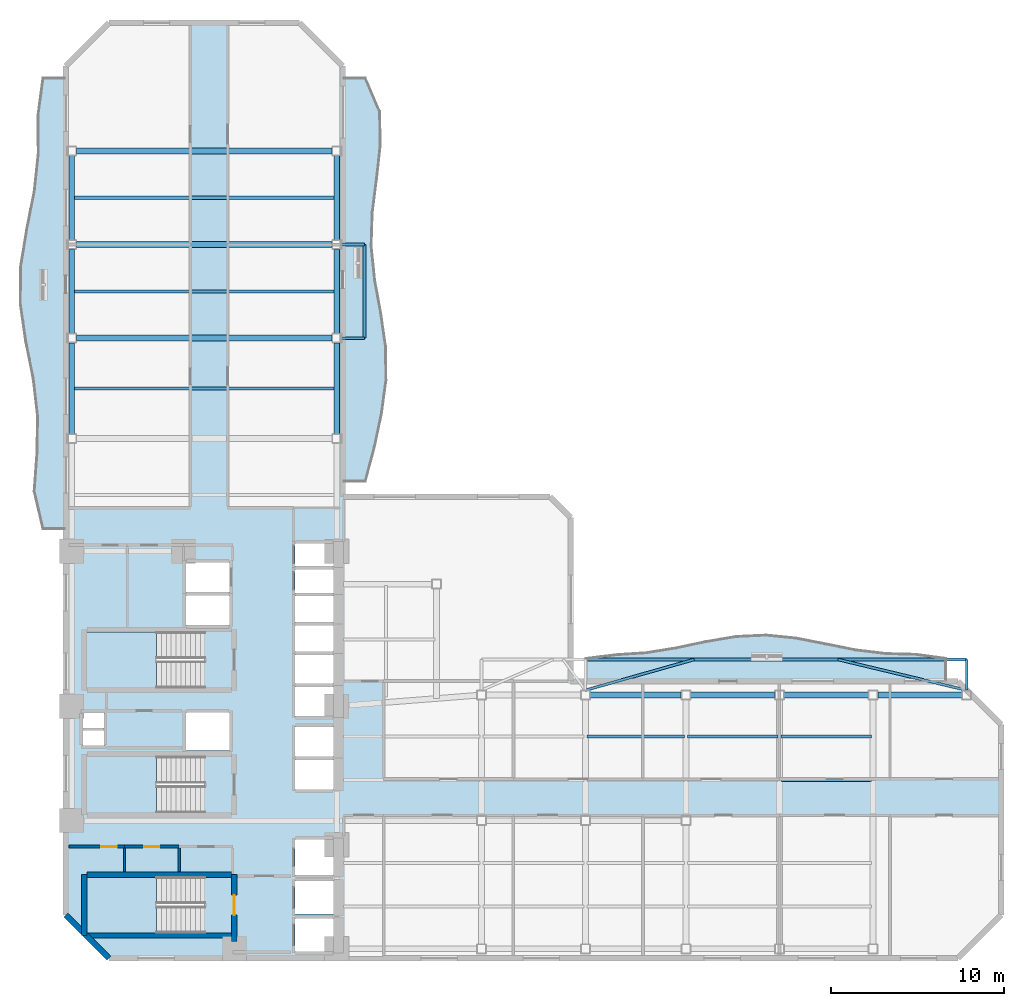
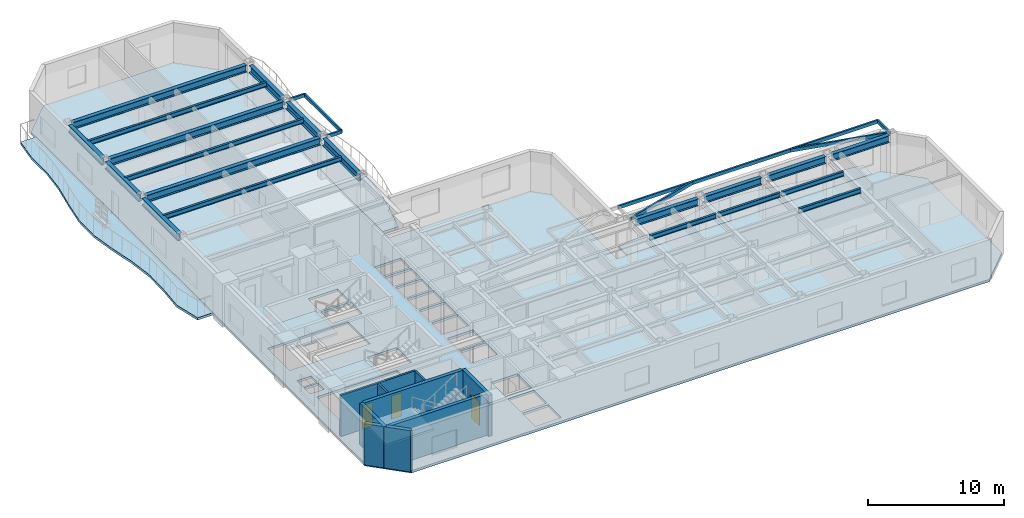
# One storey, part 2 of 10: 27 beams, 9 walls, 7 slabs, 3 doors, 3 openings, 3 elements without a shape of their own.
"""IFC4 building model written with IfcOpenShell, lengths in metres."""

from ifc_helpers import new_model, si_unit, direction, frame, frame_2d, origin, origin_2d, place, context, subcontext, project, spatial, polyline, rectangle, hollow_rectangle, i_section, outline, extrude, material, layer, layer_set, material_profile, profile_set, type_object, element, fill, aggregate, save


model = new_model("IFC4")

# Units and contexts
model_context = context("Model", 3, precision=1e-05, world=origin(), true_north=direction((0.0, 1.0)))
body_context = subcontext(model_context, "Body", "Model", "MODEL_VIEW")
ifc_project = project(units=[si_unit("LENGTHUNIT", "METRE"), si_unit("AREAUNIT", "SQUARE_METRE"), si_unit("VOLUMEUNIT", "CUBIC_METRE"), si_unit("PLANEANGLEUNIT", "RADIAN"), si_unit("MASSUNIT", "GRAM", prefix="KILO")], contexts=[model_context])

# Site, building, storey
site_placement = place(None, origin())
site = spatial("IfcSite", under=ifc_project, at=site_placement, CompositionType="ELEMENT")
building_placement = place(site_placement, origin())
building = spatial("IfcBuilding", under=site, at=building_placement, Name="Mawjaban Terraces University", CompositionType="ELEMENT")
storey_placement = place(building_placement, frame((0.0, 0.0, 66.10009765625)))
storey = spatial("IfcBuildingStorey", under=building, at=storey_placement, Name="L15", CompositionType="ELEMENT", Elevation=66.10009765625)

# Beams
ifc_material_1 = material(Name="Steel EN 10210-1 S355J2H", Category="steel")
ifc_material_profile_1 = material_profile(ifc_material_1, hollow_rectangle(XDim=0.14990234375, YDim=0.300048828125, WallThickness=0.012451171875, at=origin_2d()), Name="RHS300X150X12.5")
ifc_profile_set_1 = profile_set([ifc_material_profile_1], Name="Steel EN 10210-1 S355J2H")
beam_type_1 = type_object("IfcBeamType", Name="BalconyCantileverSpandrel_RHS", PredefinedType="SPANDREL", material=ifc_profile_set_1)
beam_1_placement = place(storey_placement, frame((74.0, 15.47509765625, 3.539794921875), z_axis=(0.0, 1.0, 0.0), x_axis=(-1.0, 0.0, 0.0)))
element("IfcBeam", 1, at=beam_1_placement, inside=storey, type_object=beam_type_1, Name="L15 Exterior Outrigger BAL-L16-N.2", PredefinedType="SPANDREL", context=body_context, shape_type="SweptSolid", body=[
    extrude(hollow_rectangle(XDim=0.14990234375, YDim=0.300048828125, WallThickness=0.012451171875, at=origin_2d()), origin(), (0.0, 0.0, 1.0), 1.77490234375),
])
beam_2_placement = place(storey_placement, frame((52.0, 17.25, 3.539794921875), z_axis=(1.0, 0.0, 0.0), x_axis=(0.0, 1.0, 0.0)))
element("IfcBeam", 2, at=beam_2_placement, inside=storey, type_object=beam_type_1, Name="L15 Exterior Edge Spandrel BAL-L16-N", PredefinedType="SPANDREL", context=body_context, shape_type="SweptSolid", body=[
    extrude(hollow_rectangle(XDim=0.14990234375, YDim=0.300048828125, WallThickness=0.012451171875, at=origin_2d()), origin(), (0.0, 0.0, 1.0), 22.0),
])
beam_3_placement = place(storey_placement, frame((52.0, 15.47509765625, 3.539794921875), z_axis=(0.962246756017, 0.272178582065, 0.0), x_axis=(-0.272178582065, 0.962246756017, 0.0)))
element("IfcBeam", 3, at=beam_3_placement, inside=storey, type_object=beam_type_1, Name="L15 Exterior Diagonal Strut BAL-L16-N.1", PredefinedType="SPANDREL", context=body_context, shape_type="SweptSolid", body=[
    extrude(hollow_rectangle(XDim=0.14990234375, YDim=0.300048828125, WallThickness=0.012451171875, at=origin_2d()), origin(), (0.0, 0.0, 1.0), 6.52099609375),
])
beam_4_placement = place(storey_placement, frame((74.0, 15.47509765625, 3.539794921875), z_axis=(-0.972598230498, 0.232492326825, 0.0), x_axis=(-0.232492326825, -0.972598230498, 0.0)))
element("IfcBeam", 4, at=beam_4_placement, inside=storey, type_object=beam_type_1, Name="L15 Exterior Diagonal Strut BAL-L16-N.2", PredefinedType="SPANDREL", context=body_context, shape_type="SweptSolid", body=[
    extrude(hollow_rectangle(XDim=0.14990234375, YDim=0.300048828125, WallThickness=0.012451171875, at=origin_2d()), origin(), (0.0, 0.0, 1.0), 7.63427734375),
])
for number, where, z_axis, x_axis, name in (
    (5, (37.925048828125, 35.800048828125, 3.539794921875), (1.0, 0.0, 0.0), (0.0, 1.0, 0.0), "L15 Exterior Outrigger BAL-L16-E.1"),
    (6, (37.925048828125, 41.199951171875, 3.539794921875), (1.0, 0.0, 0.0), (0.0, 1.0, 0.0), "L15 Exterior Outrigger BAL-L16-E.2"),
):
    element("IfcBeam", number, at=place(storey_placement, frame(where, z_axis=z_axis, x_axis=x_axis)), inside=storey, type_object=beam_type_1, Name=name, PredefinedType="SPANDREL", context=body_context, shape_type="SweptSolid", body=[
        extrude(hollow_rectangle(XDim=0.14990234375, YDim=0.300048828125, WallThickness=0.012451171875, at=origin_2d()), origin(), (0.0, 0.0, 1.0), 1.324951171875),
    ])
beam_5_placement = place(storey_placement, frame((39.25, 35.800048828125, 3.539794921875), z_axis=(0.0, 1.0, 0.0), x_axis=(-1.0, 0.0, 0.0)))
element("IfcBeam", 7, at=beam_5_placement, inside=storey, type_object=beam_type_1, Name="L15 Exterior Edge Spandrel BAL-L16-E", PredefinedType="SPANDREL", context=body_context, shape_type="SweptSolid", body=[
    extrude(hollow_rectangle(XDim=0.14990234375, YDim=0.300048828125, WallThickness=0.012451171875, at=origin_2d()), origin(), (0.0, 0.0, 1.0), 5.39990234375),
])
ifc_material_2 = material(Name="Steel ASTM A572 Grade 50", Category="steel")
ifc_material_profile_2 = material_profile(ifc_material_2, i_section(OverallWidth=0.3291015625, OverallDepth=0.635009765625, WebThickness=0.017822265625, FlangeThickness=0.031005859375, at=origin_2d()), Name="W610X241")
ifc_profile_set_2 = profile_set([ifc_material_profile_2], Name="Steel ASTM A572 Grade 50")
beam_type_2 = type_object("IfcBeamType", Name="Beam_B_W610X241", PredefinedType="BEAM", material=ifc_profile_set_2)
beam_6_placement = place(storey_placement, frame((52.27490234375, 15.199951171875, 3.372802734375), z_axis=(1.0, 0.0, 0.0), x_axis=(0.0, 1.0, 0.0)))
element("IfcBeam", 8, at=beam_6_placement, inside=storey, type_object=beam_type_2, Name="L15 Beam BM-L15-EW-10", PredefinedType="BEAM", context=body_context, shape_type="SweptSolid", body=[
    extrude(i_section(OverallWidth=0.3291015625, OverallDepth=0.635009765625, WebThickness=0.017822265625, FlangeThickness=0.031005859375, at=origin_2d()), origin(), (0.0, 0.0, 1.0), 5.25),
])
beam_7_placement = place(storey_placement, frame((58.074951171875, 15.199951171875, 3.372802734375), z_axis=(1.0, 0.0, 0.0), x_axis=(0.0, 1.0, 0.0)))
element("IfcBeam", 9, at=beam_7_placement, inside=storey, type_object=beam_type_2, Name="L15 Beam BM-L15-EW-11", PredefinedType="BEAM", context=body_context, shape_type="SweptSolid", body=[
    extrude(i_section(OverallWidth=0.3291015625, OverallDepth=0.635009765625, WebThickness=0.017822265625, FlangeThickness=0.031005859375, at=origin_2d()), origin(), (0.0, 0.0, 1.0), 4.85009765625),
])
beam_8_placement = place(storey_placement, frame((63.47509765625, 15.199951171875, 3.372802734375), z_axis=(1.0, 0.0, 0.0), x_axis=(0.0, 1.0, 0.0)))
element("IfcBeam", 10, at=beam_8_placement, inside=storey, type_object=beam_type_2, Name="L15 Beam BM-L15-EW-12", PredefinedType="BEAM", context=body_context, shape_type="SweptSolid", body=[
    extrude(i_section(OverallWidth=0.3291015625, OverallDepth=0.635009765625, WebThickness=0.017822265625, FlangeThickness=0.031005859375, at=origin_2d()), origin(), (0.0, 0.0, 1.0), 4.849853515625),
])
beam_9_placement = place(storey_placement, frame((68.875, 15.199951171875, 3.372802734375), z_axis=(1.0, 0.0, 0.0), x_axis=(0.0, 1.0, 0.0)))
element("IfcBeam", 11, at=beam_9_placement, inside=storey, type_object=beam_type_2, Name="L15 Beam BM-L15-EW-13", PredefinedType="BEAM", context=body_context, shape_type="SweptSolid", body=[
    extrude(i_section(OverallWidth=0.3291015625, OverallDepth=0.635009765625, WebThickness=0.017822265625, FlangeThickness=0.031005859375, at=origin_2d()), origin(), (0.0, 0.0, 1.0), 4.85009765625),
])
for number, where, z_axis, x_axis, name in (
    (12, (22.625, 35.800048828125, 3.372802734375), (1.0, 0.0, 0.0), (0.0, 1.0, 0.0), "L15 Beam BM-L15-EW-16"),
    (13, (22.625, 41.199951171875, 3.372802734375), (1.0, 0.0, 0.0), (0.0, 1.0, 0.0), "L15 Beam BM-L15-EW-17"),
    (14, (22.625, 46.60009765625, 3.372802734375), (1.0, 0.0, 0.0), (0.0, 1.0, 0.0), "L15 Beam BM-L15-EW-18"),
):
    element("IfcBeam", number, at=place(storey_placement, frame(where, z_axis=z_axis, x_axis=x_axis)), inside=storey, type_object=beam_type_2, Name=name, PredefinedType="BEAM", context=body_context, shape_type="SweptSolid", body=[
        extrude(i_section(OverallWidth=0.3291015625, OverallDepth=0.635009765625, WebThickness=0.017822265625, FlangeThickness=0.031005859375, at=origin_2d()), origin(), (0.0, 0.0, 1.0), 14.75),
    ])
beam_10_placement = place(storey_placement, frame((22.35009765625, 30.27490234375, 3.372802734375), z_axis=(0.0, 1.0, 0.0), x_axis=(-1.0, 0.0, 0.0)))
element("IfcBeam", 15, at=beam_10_placement, inside=storey, type_object=beam_type_2, Name="L15 Beam BM-L15-NS-04", PredefinedType="BEAM", context=body_context, shape_type="SweptSolid", body=[
    extrude(i_section(OverallWidth=0.3291015625, OverallDepth=0.635009765625, WebThickness=0.017822265625, FlangeThickness=0.031005859375, at=origin_2d()), origin(), (0.0, 0.0, 1.0), 5.25),
])
beam_11_placement = place(storey_placement, frame((22.35009765625, 36.074951171875, 3.372802734375), z_axis=(0.0, 1.0, 0.0), x_axis=(-1.0, 0.0, 0.0)))
element("IfcBeam", 16, at=beam_11_placement, inside=storey, type_object=beam_type_2, Name="L15 Beam BM-L15-NS-05", PredefinedType="BEAM", context=body_context, shape_type="SweptSolid", body=[
    extrude(i_section(OverallWidth=0.3291015625, OverallDepth=0.635009765625, WebThickness=0.017822265625, FlangeThickness=0.031005859375, at=origin_2d()), origin(), (0.0, 0.0, 1.0), 4.85009765625),
])
beam_12_placement = place(storey_placement, frame((22.35009765625, 41.47509765625, 3.372802734375), z_axis=(0.0, 1.0, 0.0), x_axis=(-1.0, 0.0, 0.0)))
element("IfcBeam", 17, at=beam_12_placement, inside=storey, type_object=beam_type_2, Name="L15 Beam BM-L15-NS-06", PredefinedType="BEAM", context=body_context, shape_type="SweptSolid", body=[
    extrude(i_section(OverallWidth=0.3291015625, OverallDepth=0.635009765625, WebThickness=0.017822265625, FlangeThickness=0.031005859375, at=origin_2d()), origin(), (0.0, 0.0, 1.0), 4.849853515625),
])
beam_13_placement = place(storey_placement, frame((37.64990234375, 30.27490234375, 3.372802734375), z_axis=(0.0, 1.0, 0.0), x_axis=(-1.0, 0.0, 0.0)))
element("IfcBeam", 18, at=beam_13_placement, inside=storey, type_object=beam_type_2, Name="L15 Beam BM-L15-NS-11", PredefinedType="BEAM", context=body_context, shape_type="SweptSolid", body=[
    extrude(i_section(OverallWidth=0.3291015625, OverallDepth=0.635009765625, WebThickness=0.017822265625, FlangeThickness=0.031005859375, at=origin_2d()), origin(), (0.0, 0.0, 1.0), 5.25),
])
beam_14_placement = place(storey_placement, frame((37.64990234375, 36.074951171875, 3.372802734375), z_axis=(0.0, 1.0, 0.0), x_axis=(-1.0, 0.0, 0.0)))
element("IfcBeam", 19, at=beam_14_placement, inside=storey, type_object=beam_type_2, Name="L15 Beam BM-L15-NS-12", PredefinedType="BEAM", context=body_context, shape_type="SweptSolid", body=[
    extrude(i_section(OverallWidth=0.3291015625, OverallDepth=0.635009765625, WebThickness=0.017822265625, FlangeThickness=0.031005859375, at=origin_2d()), origin(), (0.0, 0.0, 1.0), 4.85009765625),
])
beam_15_placement = place(storey_placement, frame((37.64990234375, 41.47509765625, 3.372802734375), z_axis=(0.0, 1.0, 0.0), x_axis=(-1.0, 0.0, 0.0)))
element("IfcBeam", 20, at=beam_15_placement, inside=storey, type_object=beam_type_2, Name="L15 Beam BM-L15-NS-13", PredefinedType="BEAM", context=body_context, shape_type="SweptSolid", body=[
    extrude(i_section(OverallWidth=0.3291015625, OverallDepth=0.635009765625, WebThickness=0.017822265625, FlangeThickness=0.031005859375, at=origin_2d()), origin(), (0.0, 0.0, 1.0), 4.849853515625),
])
ifc_material_profile_3 = material_profile(ifc_material_2, i_section(OverallWidth=0.179931640625, OverallDepth=0.4130859375, WebThickness=0.009765625, FlangeThickness=0.01611328125, at=origin_2d()), Name="W410X74")
ifc_profile_set_3 = profile_set([ifc_material_profile_3], Name="Steel ASTM A572 Grade 50")
beam_type_3 = type_object("IfcBeamType", Name="Beam_J_W410X74", PredefinedType="JOIST", material=ifc_profile_set_3)
beam_16_placement = place(storey_placement, frame((63.280029296875, 10.300048828125, 3.48388671875), z_axis=(1.0, 0.0, 0.0), x_axis=(0.0, 1.0, 0.0)))
element("IfcBeam", 21, at=beam_16_placement, inside=storey, type_object=beam_type_3, Name="L15 Composite Joist JST-L15-15", PredefinedType="JOIST", context=body_context, shape_type="SweptSolid", body=[
    extrude(i_section(OverallWidth=0.179931640625, OverallDepth=0.4130859375, WebThickness=0.009765625, FlangeThickness=0.01611328125, at=origin_2d()), origin(), (0.0, 0.0, 1.0), 5.239990234375),
])
beam_17_placement = place(storey_placement, frame((52.080078125, 12.800048828125, 3.48388671875), z_axis=(1.0, 0.0, 0.0), x_axis=(0.0, 1.0, 0.0)))
element("IfcBeam", 22, at=beam_17_placement, inside=storey, type_object=beam_type_3, Name="L15 Composite Joist JST-L15-18", PredefinedType="JOIST", context=body_context, shape_type="SweptSolid", body=[
    extrude(i_section(OverallWidth=0.179931640625, OverallDepth=0.4130859375, WebThickness=0.009765625, FlangeThickness=0.01611328125, at=origin_2d()), origin(), (0.0, 0.0, 1.0), 5.639892578125),
])
beam_18_placement = place(storey_placement, frame((57.8798828125, 12.800048828125, 3.48388671875), z_axis=(1.0, 0.0, 0.0), x_axis=(0.0, 1.0, 0.0)))
element("IfcBeam", 23, at=beam_18_placement, inside=storey, type_object=beam_type_3, Name="L15 Composite Joist JST-L15-19", PredefinedType="JOIST", context=body_context, shape_type="SweptSolid", body=[
    extrude(i_section(OverallWidth=0.179931640625, OverallDepth=0.4130859375, WebThickness=0.009765625, FlangeThickness=0.01611328125, at=origin_2d()), origin(), (0.0, 0.0, 1.0), 5.240234375),
])
beam_19_placement = place(storey_placement, frame((63.280029296875, 12.800048828125, 3.48388671875), z_axis=(1.0, 0.0, 0.0), x_axis=(0.0, 1.0, 0.0)))
element("IfcBeam", 24, at=beam_19_placement, inside=storey, type_object=beam_type_3, Name="L15 Composite Joist JST-L15-20", PredefinedType="JOIST", context=body_context, shape_type="SweptSolid", body=[
    extrude(i_section(OverallWidth=0.179931640625, OverallDepth=0.4130859375, WebThickness=0.009765625, FlangeThickness=0.01611328125, at=origin_2d()), origin(), (0.0, 0.0, 1.0), 5.239990234375),
])
for number, where, z_axis, x_axis, name in (
    (25, (22.429931640625, 32.89990234375, 3.48388671875), (1.0, 0.0, 0.0), (0.0, 1.0, 0.0), "L15 Composite Joist JST-L15-23"),
    (26, (22.429931640625, 38.5, 3.48388671875), (1.0, 0.0, 0.0), (0.0, 1.0, 0.0), "L15 Composite Joist JST-L15-24"),
    (27, (22.429931640625, 43.89990234375, 3.48388671875), (1.0, 0.0, 0.0), (0.0, 1.0, 0.0), "L15 Composite Joist JST-L15-25"),
):
    element("IfcBeam", number, at=place(storey_placement, frame(where, z_axis=z_axis, x_axis=x_axis)), inside=storey, type_object=beam_type_3, Name=name, PredefinedType="JOIST", context=body_context, shape_type="SweptSolid", body=[
        extrude(i_section(OverallWidth=0.179931640625, OverallDepth=0.4130859375, WebThickness=0.009765625, FlangeThickness=0.01611328125, at=origin_2d()), origin(), (0.0, 0.0, 1.0), 15.14013671875),
    ])

# Slabs
ifc_material_3 = material(Name="Concrete C40/50", Category="concrete")
ifc_layer_1 = layer(ifc_material_3, 0.2099609375)
ifc_layer_set_1 = layer_set([ifc_layer_1], Name="Concrete C40/50")
slab_type_1 = type_object("IfcSlabType", Name="BalconySlab_210_Ext", PredefinedType="FLOOR", material=ifc_layer_set_1)
slab_1_placement = place(storey_placement, frame((0.0, 0.0, -0.210205078125)))
element("IfcSlab", 28, at=slab_1_placement, inside=storey, type_object=slab_type_1, Name="L15 Planted Balcony Slab west", PredefinedType="FLOOR", context=body_context, shape_type="SweptSolid", body=[
    extrude(outline(polyline([(22.010009765625, 24.800048828125), (22.010009765625, 50.800048828125), (20.699951171875, 50.800048828125), (20.410888671875, 48.633056640625), (20.431884765625, 46.467041015625), (20.201904296875, 44.300048828125), (19.77294921875, 42.133056640625), (19.41796875, 39.967041015625), (19.388916015625, 37.800048828125), (19.7060546875, 35.633056640625), (20.137939453125, 33.467041015625), (20.39208984375, 31.300048828125), (20.35302734375, 29.133056640625), (20.195068359375, 26.967041015625), (20.699951171875, 24.800048828125), (22.010009765625, 24.800048828125)])), origin(), (0.0, 0.0, 1.0), 0.210205078125),
])
slab_2_placement = place(storey_placement, frame((0.0, 0.0, -0.210205078125)))
element("IfcSlab", 29, at=slab_2_placement, inside=storey, type_object=slab_type_1, Name="L15 Planted Balcony Slab inner_north", PredefinedType="FLOOR", context=body_context, shape_type="SweptSolid", body=[
    extrude(outline(polyline([(52.050048828125, 15.989990234375), (72.800048828125, 15.989990234375), (72.800048828125, 17.300048828125), (71.071044921875, 17.534912109375), (69.342041015625, 17.580078125), (67.612060546875, 17.7890625), (65.883056640625, 18.134033203125), (64.154052734375, 18.471923828125), (62.425048828125, 18.64501953125), (60.696044921875, 18.56494140625), (58.967041015625, 18.27197265625), (57.237060546875, 17.906982421875), (55.508056640625, 17.6279296875), (53.779052734375, 17.511962890625), (52.050048828125, 17.300048828125), (52.050048828125, 15.989990234375)])), origin(), (0.0, 0.0, 1.0), 0.210205078125),
])
slab_3_placement = place(storey_placement, frame((0.0, 0.0, -0.210205078125)))
element("IfcSlab", 30, at=slab_3_placement, inside=storey, type_object=slab_type_1, Name="L15 Planted Balcony Slab inner_east", PredefinedType="FLOOR", context=body_context, shape_type="SweptSolid", body=[
    extrude(outline(polyline([(39.300048828125, 27.5419921875), (39.818115234375, 29.47998046875), (40.22900390625, 31.41796875), (40.4951171875, 33.35595703125), (40.47412109375, 35.294921875), (40.194091796875, 37.23291015625), (39.842041015625, 39.1708984375), (39.64111328125, 41.10888671875), (39.702880859375, 43.047119140625), (39.949951171875, 44.986083984375), (40.1669921875, 46.924072265625), (40.1298828125, 48.862060546875), (39.300048828125, 50.800048828125), (37.989990234375, 50.800048828125), (37.989990234375, 27.5419921875), (39.300048828125, 27.5419921875)])), origin(), (0.0, 0.0, 1.0), 0.210205078125),
])
ifc_layer_2 = layer(ifc_material_3, 0.2099609375)
ifc_layer_set_2 = layer_set([ifc_layer_2], Name="Concrete C40/50")
slab_type_2 = type_object("IfcSlabType", Name="CompositeSlab_210", PredefinedType="FLOOR", material=ifc_layer_set_2)
slab_4_placement = place(storey_placement, frame((0.0, 0.0, -0.210205078125)))
element("IfcSlab", 31, at=slab_4_placement, inside=storey, type_object=slab_type_2, Name="L15 Primary Structural Slab", PredefinedType="FLOOR", context=body_context, shape_type="SweptSolid", body=[
    extrude(outline(polyline([(24.5, 0.0), (73.5, 0.0), (76.0, 2.5), (76.0, 13.5), (73.5, 16.0), (51.14990234375, 16.0), (51.14990234375, 25.44189453125), (49.949951171875, 26.64208984375), (38.0, 26.64208984375), (38.0, 51.5), (35.5, 54.0), (24.5, 54.0), (22.0, 51.5), (22.0, 2.5), (24.5, 0.0)]), holes=[polyline([(30.014892578125, 4.699951171875), (23.199951171875, 4.699951171875), (23.199951171875, 1.449951171875), (30.014892578125, 1.449951171875), (30.014892578125, 4.699951171875)]), polyline([(30.014892578125, 18.85009765625), (23.199951171875, 18.85009765625), (23.199951171875, 15.60009765625), (30.014892578125, 15.60009765625), (30.014892578125, 18.85009765625)]), polyline([(30.014892578125, 11.64990234375), (23.199951171875, 11.64990234375), (23.199951171875, 8.39990234375), (30.014892578125, 8.39990234375), (30.014892578125, 11.64990234375)]), polyline([(35.25, 0.39990234375), (37.449951171875, 0.39990234375), (37.449951171875, 2.300048828125), (35.25, 2.300048828125), (35.25, 0.39990234375)]), polyline([(35.25, 2.550048828125), (37.449951171875, 2.550048828125), (37.449951171875, 4.449951171875), (35.25, 4.449951171875), (35.25, 2.550048828125)]), polyline([(35.25, 4.800048828125), (37.449951171875, 4.800048828125), (37.449951171875, 6.85009765625), (35.25, 6.85009765625), (35.25, 4.800048828125)]), polyline([(35.25, 9.75), (37.449951171875, 9.75), (37.449951171875, 11.449951171875), (35.25, 11.449951171875), (35.25, 9.75)]), polyline([(35.25, 11.64990234375), (37.449951171875, 11.64990234375), (37.449951171875, 13.35009765625), (35.25, 13.35009765625), (35.25, 11.64990234375)]), polyline([(28.949951171875, 12.0), (31.449951171875, 12.0), (31.449951171875, 14.199951171875), (28.949951171875, 14.199951171875), (28.949951171875, 12.0)]), polyline([(35.25, 14.0), (37.449951171875, 14.0), (37.449951171875, 15.64990234375), (35.25, 15.64990234375), (35.25, 14.0)]), polyline([(35.25, 15.85009765625), (37.449951171875, 15.85009765625), (37.449951171875, 17.5), (35.25, 17.5), (35.25, 15.85009765625)]), polyline([(35.25, 17.699951171875), (37.449951171875, 17.699951171875), (37.449951171875, 19.199951171875), (35.25, 19.199951171875), (35.25, 17.699951171875)]), polyline([(35.25, 19.39990234375), (37.449951171875, 19.39990234375), (37.449951171875, 20.89990234375), (35.25, 20.89990234375), (35.25, 19.39990234375)]), polyline([(28.949951171875, 19.25), (31.449951171875, 19.25), (31.449951171875, 20.949951171875), (28.949951171875, 20.949951171875), (28.949951171875, 19.25)]), polyline([(35.25, 21.10009765625), (37.449951171875, 21.10009765625), (37.449951171875, 22.449951171875), (35.25, 22.449951171875), (35.25, 21.10009765625)]), polyline([(35.25, 22.64990234375), (37.449951171875, 22.64990234375), (37.449951171875, 23.949951171875), (35.25, 23.949951171875), (35.25, 22.64990234375)]), polyline([(28.949951171875, 21.14990234375), (31.449951171875, 21.14990234375), (31.449951171875, 22.85009765625), (28.949951171875, 22.85009765625), (28.949951171875, 21.14990234375)]), polyline([(23.0, 12.25), (24.199951171875, 12.25), (24.199951171875, 13.14990234375), (23.0, 13.14990234375), (23.0, 12.25)]), polyline([(23.0, 13.300048828125), (24.199951171875, 13.300048828125), (24.199951171875, 14.179931640625), (23.0, 14.179931640625), (23.0, 13.300048828125)])]), origin(), (0.0, 0.0, 1.0), 0.210205078125),
])

# Stair, slab
stair_type = type_object("IfcStairType", Name="Stair_Core1550_H39", PredefinedType="HALF_TURN_STAIR", material=ifc_material_3)
stair_1_placement = place(storey_placement, origin())
stair_1 = element("IfcStair", 32, at=stair_1_placement, inside=storey, type_object=stair_type, Name="L15 Core Exit Stair 1", PredefinedType="HALF_TURN_STAIR")
ifc_layer_3 = layer(ifc_material_3, 0.199951171875)
ifc_layer_set_3 = layer_set([ifc_layer_3], Name="Concrete C40/50")
slab_type_3 = type_object("IfcSlabType", Name="StairLandingSlab_200", PredefinedType="LANDING", material=ifc_layer_set_3)
slab_5_placement = place(storey_placement, frame((0.0, 0.0, 1.75)))
slab_5 = element("IfcSlab", 33, at=slab_5_placement, type_object=slab_type_3, Name="ST-1 landing 1", PredefinedType="LANDING", context=body_context, shape_type="SweptSolid", body=[
    extrude(outline(polyline([(27.25, 4.699951171875), (23.199951171875, 4.699951171875), (23.199951171875, 1.449951171875), (27.25, 1.449951171875), (27.25, 4.699951171875)])), origin(), (0.0, 0.0, 1.0), 0.199951171875),
])
aggregate(stair_1, [slab_5])

stair_2_placement = place(storey_placement, origin())
stair_2 = element("IfcStair", 34, at=stair_2_placement, inside=storey, type_object=stair_type, Name="L15 Core Exit Stair 2", PredefinedType="HALF_TURN_STAIR")
slab_6_placement = place(storey_placement, frame((0.0, 0.0, 1.75)))
slab_6 = element("IfcSlab", 35, at=slab_6_placement, type_object=slab_type_3, Name="ST-2 landing 1", PredefinedType="LANDING", context=body_context, shape_type="SweptSolid", body=[
    extrude(outline(polyline([(27.25, 18.85009765625), (23.199951171875, 18.85009765625), (23.199951171875, 15.60009765625), (27.25, 15.60009765625), (27.25, 18.85009765625)])), origin(), (0.0, 0.0, 1.0), 0.199951171875),
])
aggregate(stair_2, [slab_6])

stair_3_placement = place(storey_placement, origin())
stair_3 = element("IfcStair", 36, at=stair_3_placement, inside=storey, type_object=stair_type, Name="L15 Core Exit Stair 3", PredefinedType="HALF_TURN_STAIR")
slab_7_placement = place(storey_placement, frame((0.0, 0.0, 1.75)))
slab_7 = element("IfcSlab", 37, at=slab_7_placement, type_object=slab_type_3, Name="ST-3 landing 1", PredefinedType="LANDING", context=body_context, shape_type="SweptSolid", body=[
    extrude(outline(polyline([(27.25, 11.64990234375), (23.199951171875, 11.64990234375), (23.199951171875, 8.39990234375), (27.25, 8.39990234375), (27.25, 11.64990234375)])), origin(), (0.0, 0.0, 1.0), 0.199951171875),
])
aggregate(stair_3, [slab_7])

# Wall, opening, door
ifc_material_4 = material(Name="Fire-rated gypsum board on steel stud", Category="steel")
ifc_layer_4 = layer(ifc_material_4, 0.159912109375)
ifc_layer_set_4 = layer_set([ifc_layer_4], Name="Fire-rated gypsum board on steel stud")
wall_type_1 = type_object("IfcWallType", Name="CorridorPartition_160", PredefinedType="PARTITIONING", material=ifc_layer_set_4)
wall_1_placement = place(storey_placement, frame((22.199951171875, 6.449951171875, 0.0), z_axis=(0.0, 0.0, 1.0), x_axis=(1.0, 0.0, 0.0)))
wall_1 = element("IfcWall", 38, at=wall_1_placement, inside=storey, type_object=wall_type_1, Name="L15 Core Washroom Lobby Partition 1", PredefinedType="PARTITIONING", context=body_context, shape_type="SweptSolid", body=[
    extrude(rectangle(XDim=3.199951171875, YDim=0.159912109375, at=frame_2d((1.60009765625, 0.0))), origin(), (0.0, 0.0, 1.0), 3.68994140625),
])
opening_1_placement = place(wall_1_placement, frame((1.860107421875, 0.0, 0.0)))
opening_1 = element("IfcOpeningElement", 39, at=opening_1_placement, cuts=wall_1, Name="Opening ID-088", PredefinedType="OPENING", context=body_context, shape_type="SweptSolid", body=[
    extrude(rectangle(XDim=0.8798828125, YDim=2.10009765625, at=frame_2d((0.43994140625, 1.050048828125))), frame((0.0, 0.08984375, 0.0), z_axis=(0.0, -1.0, 0.0), x_axis=(1.0, 0.0, 0.0)), (0.0, 0.0, 1.0), 0.179931640625),
])
ifc_material_5 = material(Name="Powder-coated steel frame and solid acoustic timber leaf", Category="steel")
door_type_1 = type_object("IfcDoorType", Name="ToiletDoor_880x2100", OperationType="NOTDEFINED", PredefinedType="DOOR", material=ifc_material_5)
door_1_placement = place(opening_1_placement, origin())
door_1 = element("IfcDoor", 40, at=door_1_placement, inside=storey, type_object=door_type_1, Name="L15 Male Toilet Door", OperationType="SINGLE_SWING_LEFT", OverallHeight=2.10009765625, OverallWidth=0.8798828125, PredefinedType="DOOR", context=body_context, shape_type="SweptSolid", body=[
    extrude(rectangle(XDim=0.8798828125, YDim=2.10009765625, at=frame_2d((0.43994140625, 1.050048828125))), frame((0.0, 0.02490234375, 0.0), z_axis=(0.0, -1.0, 0.0), x_axis=(1.0, 0.0, 0.0)), (0.0, 0.0, 1.0), 0.050048828125),
])
fill(opening_1, door_1)

wall_2_placement = place(storey_placement, frame((25.39990234375, 6.449951171875, 0.0), z_axis=(0.0, 0.0, 1.0), x_axis=(1.0, 0.0, 0.0)))
wall_2 = element("IfcWall", 41, at=wall_2_placement, inside=storey, type_object=wall_type_1, Name="L15 Core Washroom Lobby Partition 4", PredefinedType="PARTITIONING", context=body_context, shape_type="SweptSolid", body=[
    extrude(rectangle(XDim=3.150146484375, YDim=0.159912109375, at=frame_2d((1.5751953125, 0.0))), origin(), (0.0, 0.0, 1.0), 3.68994140625),
])
opening_2_placement = place(wall_2_placement, frame((1.135009765625, 0.0, 0.0)))
opening_2 = element("IfcOpeningElement", 42, at=opening_2_placement, cuts=wall_2, Name="Opening ID-088", PredefinedType="OPENING", context=body_context, shape_type="SweptSolid", body=[
    extrude(rectangle(XDim=0.8798828125, YDim=2.10009765625, at=frame_2d((0.43994140625, 1.050048828125))), frame((0.0, 0.08984375, 0.0), z_axis=(0.0, -1.0, 0.0), x_axis=(1.0, 0.0, 0.0)), (0.0, 0.0, 1.0), 0.179931640625),
])
door_2_placement = place(opening_2_placement, origin())
door_2 = element("IfcDoor", 43, at=door_2_placement, inside=storey, type_object=door_type_1, Name="L15 Female Toilet Door", OperationType="SINGLE_SWING_RIGHT", OverallHeight=2.10009765625, OverallWidth=0.8798828125, PredefinedType="DOOR", context=body_context, shape_type="SweptSolid", body=[
    extrude(rectangle(XDim=0.8798828125, YDim=2.10009765625, at=frame_2d((0.43994140625, 1.050048828125))), frame((0.0, 0.02490234375, 0.0), z_axis=(0.0, -1.0, 0.0), x_axis=(1.0, 0.0, 0.0)), (0.0, 0.0, 1.0), 0.050048828125),
])
fill(opening_2, door_2)

# Walls
ifc_material_6 = material(Name="Insulated terracotta rainscreen on concrete backup C40/50", Category="masonry")
ifc_layer_5 = layer(ifc_material_6, 0.320068359375)
ifc_layer_set_5 = layer_set([ifc_layer_5], Name="Insulated terracotta rainscreen on concrete backup C40/50")
wall_type_2 = type_object("IfcWallType", Name="ExtTerracottaWall_320", PredefinedType="SOLIDWALL", material=ifc_layer_set_5)
wall_3_placement = place(storey_placement, frame((22.0, 2.5, 0.0), z_axis=(0.0, 0.0, 1.0), x_axis=(0.707106781187, -0.707106781187, 0.0)))
element("IfcWall", 44, at=wall_3_placement, inside=storey, type_object=wall_type_2, Name="L15 Exterior Terracotta Wall 14", PredefinedType="SOLIDWALL", context=body_context, shape_type="SweptSolid", body=[
    extrude(rectangle(XDim=3.53564453125, YDim=0.320068359375, at=frame_2d((1.767822265625, 0.0))), origin(), (0.0, 0.0, 1.0), 3.68994140625),
])
ifc_material_7 = material(Name="Concrete C60/75", Category="concrete")
ifc_layer_6 = layer(ifc_material_7, 0.300048828125)
ifc_layer_set_6 = layer_set([ifc_layer_6], Name="Concrete C60/75")
wall_type_3 = type_object("IfcWallType", Name="StairShaftWall_300", PredefinedType="SHEAR", material=ifc_layer_set_6)
wall_4_placement = place(storey_placement, frame((31.580078125, 4.830078125, 0.0), z_axis=(0.0, 0.0, 1.0), x_axis=(-1.0, 0.0, 0.0)))
element("IfcWall", 45, at=wall_4_placement, inside=storey, type_object=wall_type_3, Name="L15 ST-1 Stair Shaft Wall 1", PredefinedType="SHEAR", context=body_context, shape_type="SweptSolid", body=[
    extrude(rectangle(XDim=8.360107421875, YDim=0.300048828125, at=frame_2d((4.18017578125, 0.0))), origin(), (0.0, 0.0, 1.0), 3.68994140625),
])
wall_5_placement = place(storey_placement, frame((23.070068359375, 4.830078125, 0.0), z_axis=(0.0, 0.0, 1.0), x_axis=(0.0, -1.0, 0.0)))
element("IfcWall", 46, at=wall_5_placement, inside=storey, type_object=wall_type_3, Name="L15 ST-1 Stair Shaft Wall 2", PredefinedType="SHEAR", context=body_context, shape_type="SweptSolid", body=[
    extrude(rectangle(XDim=3.510009765625, YDim=0.300048828125, at=frame_2d((1.7548828125, 0.0))), origin(), (0.0, 0.0, 1.0), 3.68994140625),
])
wall_6_placement = place(storey_placement, frame((23.219970703125, 1.320068359375, 0.0), z_axis=(0.0, 0.0, 1.0), x_axis=(1.0, 0.0, 0.0)))
element("IfcWall", 47, at=wall_6_placement, inside=storey, type_object=wall_type_3, Name="L15 ST-1 Stair Shaft Wall 3", PredefinedType="SHEAR", context=body_context, shape_type="SweptSolid", body=[
    extrude(rectangle(XDim=8.360107421875, YDim=0.300048828125, at=frame_2d((4.18017578125, 0.0))), origin(), (0.0, 0.0, 1.0), 3.68994140625),
])

# Wall, opening, door
wall_7_placement = place(storey_placement, frame((31.72998046875, 0.9599609375, 0.0), z_axis=(0.0, 0.0, 1.0), x_axis=(0.0, 1.0, 0.0)))
wall_7 = element("IfcWall", 48, at=wall_7_placement, inside=storey, type_object=wall_type_3, Name="L15 ST-1 Stair Shaft Wall 4", PredefinedType="SHEAR", context=body_context, shape_type="SweptSolid", body=[
    extrude(rectangle(XDim=3.8701171875, YDim=0.300048828125, at=frame_2d((1.93505859375, 0.0))), origin(), (0.0, 0.0, 1.0), 3.68994140625),
])
opening_3_placement = place(wall_7_placement, frame((1.5400390625, 0.0, 0.0)))
opening_3 = element("IfcOpeningElement", 49, at=opening_3_placement, cuts=wall_7, Name="Opening FD-115", PredefinedType="OPENING", context=body_context, shape_type="SweptSolid", body=[
    extrude(rectangle(XDim=1.14990234375, YDim=2.14990234375, at=frame_2d((0.574951171875, 1.074951171875))), frame((0.0, 0.159912109375, 0.0), z_axis=(0.0, -1.0, 0.0), x_axis=(1.0, 0.0, 0.0)), (0.0, 0.0, 1.0), 0.320068359375),
])
ifc_material_8 = material(Name="Powder-coated steel frame and fire-rated steel-faced leaf", Category="steel")
door_type_2 = type_object("IfcDoorType", Name="FireStairDoor_1150x2150", OperationType="NOTDEFINED", PredefinedType="DOOR", material=ifc_material_8)
door_3_placement = place(opening_3_placement, origin())
door_3 = element("IfcDoor", 50, at=door_3_placement, inside=storey, type_object=door_type_2, Name="L15 ST-1 Pressurised Stair Fire Door", OperationType="SINGLE_SWING_LEFT", OverallHeight=2.14990234375, OverallWidth=1.14990234375, PredefinedType="DOOR", context=body_context, shape_type="SweptSolid", body=[
    extrude(rectangle(XDim=1.14990234375, YDim=2.14990234375, at=frame_2d((0.574951171875, 1.074951171875))), frame((0.0, 0.02490234375, 0.0), z_axis=(0.0, -1.0, 0.0), x_axis=(1.0, 0.0, 0.0)), (0.0, 0.0, 1.0), 0.050048828125),
])
fill(opening_3, door_3)

# Walls
ifc_material_9 = material(Name="Cement-board wet-room partition", Category="masonry")
ifc_layer_7 = layer(ifc_material_9, 0.135009765625)
ifc_layer_set_7 = layer_set([ifc_layer_7], Name="Cement-board wet-room partition")
wall_type_4 = type_object("IfcWallType", Name="WetRoomPartition_135", PredefinedType="PARTITIONING", material=ifc_layer_set_7)
for number, where, z_axis, x_axis, name in (
    (51, (25.39990234375, 5.010009765625, 0.0), (0.0, 0.0, 1.0), (0.0, 1.0, 0.0), "L15 Male Toilet Partition 31"),
    (52, (28.550048828125, 5.010009765625, 0.0), (0.0, 0.0, 1.0), (0.0, 1.0, 0.0), "L15 Female Toilet Partition 33"),
):
    element("IfcWall", number, at=place(storey_placement, frame(where, z_axis=z_axis, x_axis=x_axis)), inside=storey, type_object=wall_type_4, Name=name, PredefinedType="PARTITIONING", context=body_context, shape_type="SweptSolid", body=[
        extrude(rectangle(XDim=1.364990234375, YDim=0.135009765625, at=frame_2d((0.6826171875, 0.0))), origin(), (0.0, 0.0, 1.0), 3.68994140625),
    ])

save(model, "model.ifc")
